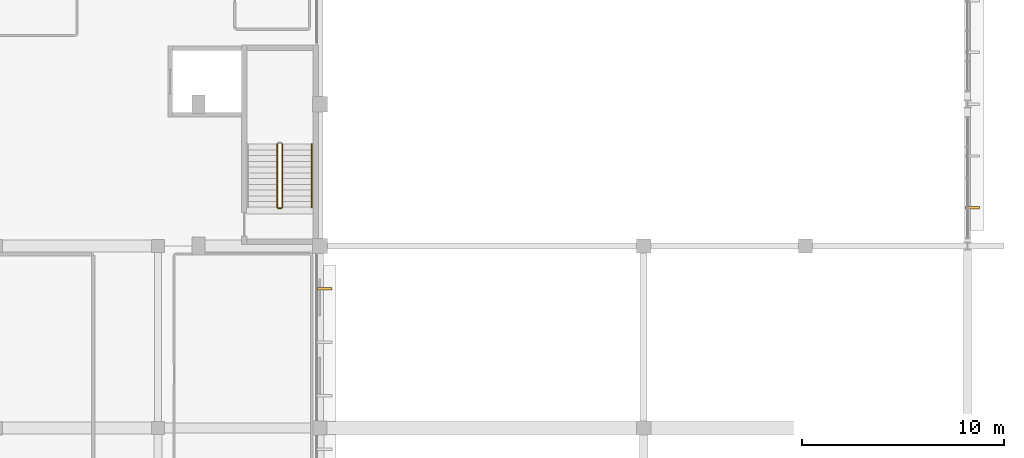
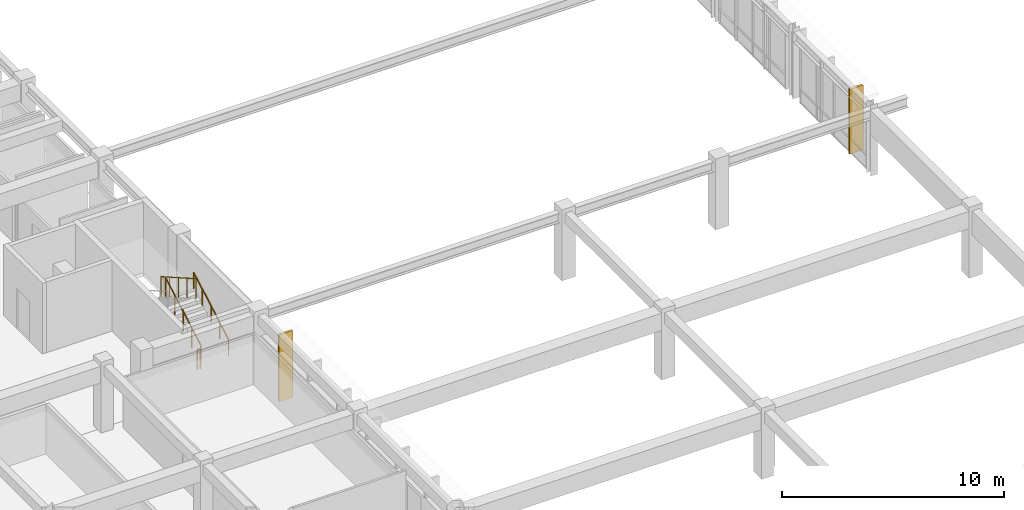
# One storey, part 95 of 98: 4 railings, 2 coverings.
"""IFC4 building model written with IfcOpenShell, lengths in metres."""

from ifc_helpers import new_model, si_unit, direction, frame, origin, origin_2d, place, context, subcontext, project, spatial, rectangle, circle, extrude, material, layer, layer_set, type_object, element, save


model = new_model("IFC4")

# Units and contexts
model_context = context("Model", 3, precision=1e-05, world=origin(), true_north=direction((0.0, 1.0)))
body_context = subcontext(model_context, "Body", "Model", "MODEL_VIEW")
ifc_project = project(units=[si_unit("LENGTHUNIT", "METRE"), si_unit("AREAUNIT", "SQUARE_METRE"), si_unit("VOLUMEUNIT", "CUBIC_METRE"), si_unit("PLANEANGLEUNIT", "RADIAN"), si_unit("MASSUNIT", "GRAM", prefix="KILO")], contexts=[model_context])

# Site, building, storey
site_placement = place(None, origin())
site = spatial("IfcSite", under=ifc_project, at=site_placement, CompositionType="ELEMENT")
building_placement = place(site_placement, origin())
building = spatial("IfcBuilding", under=site, at=building_placement, Name="Larkveld Mobility Hub", CompositionType="ELEMENT")
storey_placement = place(building_placement, frame((0.0, 0.0, 4.5)))
storey = spatial("IfcBuildingStorey", under=building, at=storey_placement, Name="L01", CompositionType="ELEMENT", Elevation=4.5)

# Coverings
ifc_material_1 = material(Name="Precast concrete C50/60", Category="concrete")
ifc_layer = layer(ifc_material_1, 0.1201171875, Name="Precast concrete C50/60", Category="concrete")
ifc_layer_set = layer_set([ifc_layer], Name="Precast concrete C50/60")
covering_type = type_object("IfcCoveringType", Name="COV-QSL-V01", PredefinedType="CLADDING", material=ifc_layer_set)
covering_1_placement = place(storey_placement, frame((184.239990234375, 29.8798828125, -0.01953125), z_axis=(0.0, 0.0, 1.0), x_axis=(0.0, 1.0, 0.0)))
element("IfcCovering", 1, at=covering_1_placement, inside=storey, type_object=covering_type, Name="Precast Quebra-Sol Vertical Fin QSV-002", PredefinedType="CLADDING", context=body_context, shape_type="SweptSolid", body=[
    extrude(rectangle(XDim=0.1201171875, YDim=0.719970703125, at=origin_2d()), origin(), (0.0, 0.0, 1.0), 3.554931640625),
])
covering_2_placement = place(storey_placement, frame((152.239990234375, 25.8798828125, -0.0205078125), z_axis=(0.0, 0.0, 1.0), x_axis=(0.0, 1.0, 0.0)))
element("IfcCovering", 2, at=covering_2_placement, inside=storey, type_object=covering_type, Name="Precast Quebra-Sol Vertical Fin QSV-233", PredefinedType="CLADDING", context=body_context, shape_type="SweptSolid", body=[
    extrude(rectangle(XDim=0.1201171875, YDim=0.719970703125, at=origin_2d()), origin(), (0.0, 0.0, 1.0), 3.675048828125),
])

# Railings
ifc_material_2 = material(Name="Galvanized Steel S355JR balustrade", Category="steel")
railing_type_1 = type_object("IfcRailingType", Name="RL-GRD-1100", PredefinedType="GUARDRAIL", material=ifc_material_2)
railing_1_placement = place(storey_placement, frame((150.14990234375, 29.89990234375, 0.16259765625)))
element("IfcRailing", 3, at=railing_1_placement, inside=storey, type_object=railing_type_1, Name="L01 ST1 stair guard 1", PredefinedType="GUARDRAIL", context=body_context, shape_type="SweptSolid", body=[
    extrude(circle(Radius=0.02392578125, at=origin_2d()), frame((0.0, 0.0, 1.076171875), z_axis=(0.0, 0.868729823959, 0.495286273749), x_axis=(-1.0, 0.0, 0.0)), (0.0, 0.0, 1.0), 3.608642578125),
    extrude(circle(Radius=0.02099609375, at=origin_2d()), origin(), (0.0, 0.0, 1.0), 1.052001953125),
    extrude(circle(Radius=0.02099609375, at=origin_2d()), frame((0.0, 0.78369140625, 0.44677734375)), (0.0, 0.0, 1.0), 1.052001953125),
    extrude(circle(Radius=0.02099609375, at=origin_2d()), frame((0.0, 1.5673828125, 0.8935546875)), (0.0, 0.0, 1.0), 1.052001953125),
    extrude(circle(Radius=0.02099609375, at=origin_2d()), frame((0.0, 2.351318359375, 1.340576171875)), (0.0, 0.0, 1.0), 1.052001953125),
    extrude(circle(Radius=0.02099609375, at=origin_2d()), frame((0.0, 3.135009765625, 1.787353515625)), (0.0, 0.0, 1.0), 1.052001953125),
])
railing_2_placement = place(storey_placement, frame((149.89990234375, 33.034912109375, 2.112548828125)))
element("IfcRailing", 4, at=railing_2_placement, inside=storey, type_object=railing_type_1, Name="L01 ST1 stair guard 3", PredefinedType="GUARDRAIL", context=body_context, shape_type="SweptSolid", body=[
    extrude(circle(Radius=0.02392578125, at=origin_2d()), frame((0.0, 0.0, 1.076171875), z_axis=(0.0, -0.868729823959, 0.495286273749), x_axis=(1.0, 0.0, 0.0)), (0.0, 0.0, 1.0), 3.608642578125),
    extrude(circle(Radius=0.02099609375, at=origin_2d()), origin(), (0.0, 0.0, 1.0), 1.052001953125),
    extrude(circle(Radius=0.02099609375, at=origin_2d()), frame((0.0, -0.78369140625, 0.44677734375)), (0.0, 0.0, 1.0), 1.052001953125),
    extrude(circle(Radius=0.02099609375, at=origin_2d()), frame((0.0, -1.5673828125, 0.8935546875)), (0.0, 0.0, 1.0), 1.052001953125),
    extrude(circle(Radius=0.02099609375, at=origin_2d()), frame((0.0, -2.351318359375, 1.340576171875)), (0.0, 0.0, 1.0), 1.052001953125),
    extrude(circle(Radius=0.02099609375, at=origin_2d()), frame((0.0, -3.135009765625, 1.787353515625)), (0.0, 0.0, 1.0), 1.052001953125),
])
railing_3_placement = place(storey_placement, frame((150.10009765625, 29.85009765625, 0.0)))
element("IfcRailing", 5, at=railing_3_placement, inside=storey, type_object=railing_type_1, Name="L01 ST1 stair guard 4", PredefinedType="GUARDRAIL", context=body_context, shape_type="SweptSolid", body=[
    extrude(circle(Radius=0.02392578125, at=origin_2d()), frame((0.0, 0.0, 1.076171875), z_axis=(-1.0, 0.0, 0.0), x_axis=(0.0, -1.0, 0.0)), (0.0, 0.0, 1.0), 0.150146484375),
    extrude(circle(Radius=0.02099609375, at=origin_2d()), origin(), (0.0, 0.0, 1.0), 1.052001953125),
    extrude(circle(Radius=0.02099609375, at=origin_2d()), frame((-0.150146484375, 0.0, 0.0)), (0.0, 0.0, 1.0), 1.052001953125),
])
ifc_material_3 = material(Name="Brushed Steel S355JR tubular handrail", Category="steel")
railing_type_2 = type_object("IfcRailingType", Name="RL-HND-0900", PredefinedType="HANDRAIL", material=ifc_material_3)
railing_4_placement = place(storey_placement, frame((151.60009765625, 29.89990234375, 0.16259765625)))
element("IfcRailing", 6, at=railing_4_placement, inside=storey, type_object=railing_type_2, Name="L01 ST1 stair handrail 1", PredefinedType="HANDRAIL", context=body_context, shape_type="SweptSolid", body=[
    extrude(circle(Radius=0.02392578125, at=origin_2d()), frame((0.0, 0.0, 0.8759765625), z_axis=(0.0, 0.868729823959, 0.495286273749), x_axis=(-1.0, 0.0, 0.0)), (0.0, 0.0, 1.0), 3.608642578125),
    extrude(circle(Radius=0.02099609375, at=origin_2d()), origin(), (0.0, 0.0, 1.0), 0.851806640625),
    extrude(circle(Radius=0.02099609375, at=origin_2d()), frame((0.0, 0.78369140625, 0.44677734375)), (0.0, 0.0, 1.0), 0.851806640625),
    extrude(circle(Radius=0.02099609375, at=origin_2d()), frame((0.0, 1.5673828125, 0.8935546875)), (0.0, 0.0, 1.0), 0.851806640625),
    extrude(circle(Radius=0.02099609375, at=origin_2d()), frame((0.0, 2.351318359375, 1.340576171875)), (0.0, 0.0, 1.0), 0.851806640625),
    extrude(circle(Radius=0.02099609375, at=origin_2d()), frame((0.0, 3.135009765625, 1.787353515625)), (0.0, 0.0, 1.0), 0.851806640625),
])

save(model, "model.ifc")
